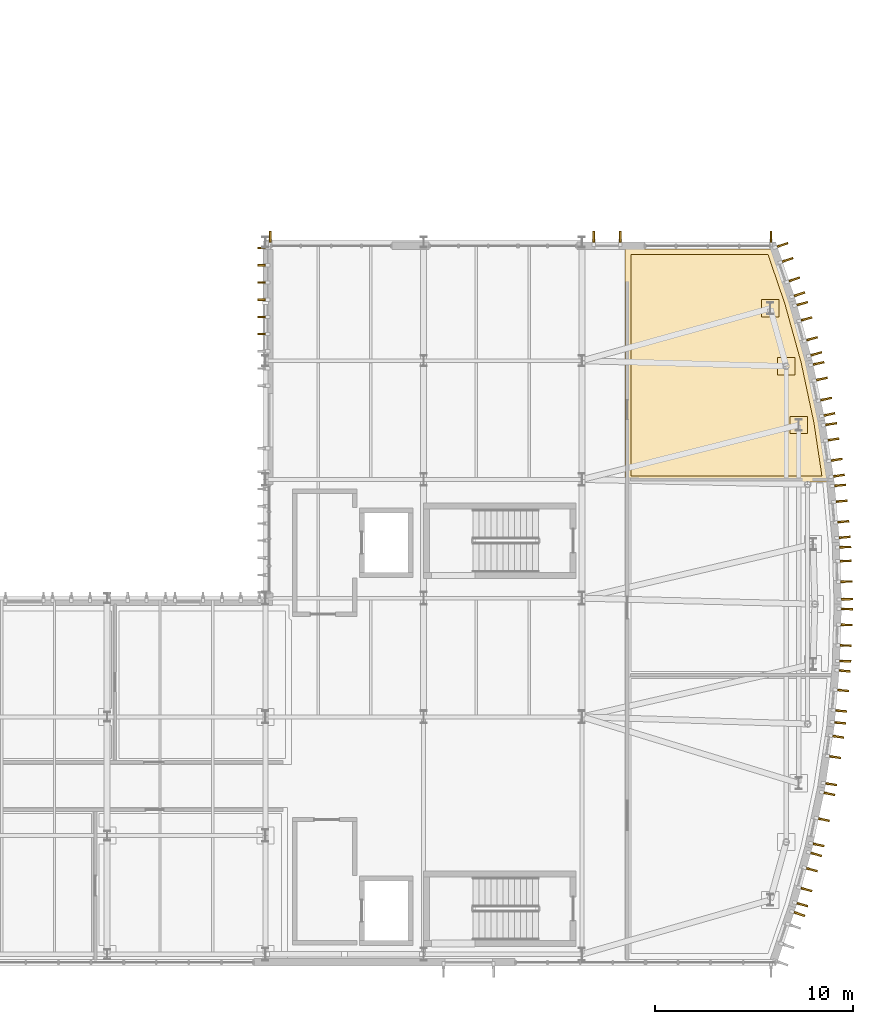
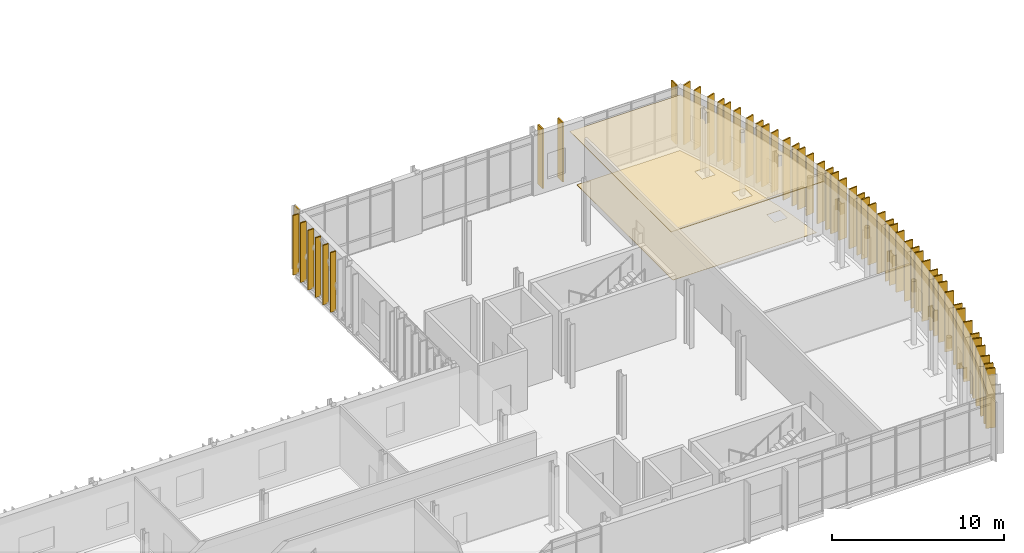
# One storey, part 100 of 100: 55 coverings.
"""IFC4 building model written with IfcOpenShell, lengths in metres."""

from ifc_helpers import new_model, si_unit, direction, frame, origin, origin_2d, place, context, subcontext, project, spatial, polyline, rectangle, outline, extrude, material, layer, layer_set, type_object, element, save


model = new_model("IFC4")

# Units and contexts
model_context = context("Model", 3, precision=1e-05, world=origin(), true_north=direction((0.0, 1.0)))
body_context = subcontext(model_context, "Body", "Model", "MODEL_VIEW")
ifc_project = project(units=[si_unit("LENGTHUNIT", "METRE"), si_unit("AREAUNIT", "SQUARE_METRE"), si_unit("VOLUMEUNIT", "CUBIC_METRE"), si_unit("PLANEANGLEUNIT", "RADIAN"), si_unit("MASSUNIT", "GRAM", prefix="KILO")], contexts=[model_context])

# Site, building, storey
site_placement = place(None, origin())
site = spatial("IfcSite", under=ifc_project, at=site_placement, CompositionType="ELEMENT")
building_placement = place(site_placement, origin())
building = spatial("IfcBuilding", under=site, at=building_placement, Name="Cymarion Research Institute", CompositionType="ELEMENT")
storey_placement = place(building_placement, frame((0.0, 0.0, 4.800048828125)))
storey = spatial("IfcBuildingStorey", under=building, at=storey_placement, Name="L01", CompositionType="ELEMENT", Elevation=4.800048828125)

# Coverings
ifc_material_1 = material(Name="Micro-perforated mineral acoustic ceiling tile", Category="gypsum")
ifc_layer_1 = layer(ifc_material_1, 0.030029296875)
ifc_layer_set_1 = layer_set([ifc_layer_1], Name="Micro-perforated mineral acoustic ceiling tile")
covering_type_1 = type_object("IfcCoveringType", Name="ACOUSTIC MICRO-PERFORATED SUSPENDED CEILING CLG-01", PredefinedType="CEILING", material=ifc_layer_set_1)
covering_1_placement = place(storey_placement, frame((0.0, 0.0, 3.699951171875)))
element("IfcCovering", 1, at=covering_1_placement, inside=storey, type_object=covering_type_1, Name="L01 L01 Prow Collaborative Reading Lounge acoustic ceiling", PredefinedType="CEILING", context=body_context, shape_type="SweptSolid", body=[
    extrude(outline(polyline([(164.22412109375, 41.1650390625), (165.14599609375, 38.47021484375), (165.971923828125, 35.482666015625), (166.617431640625, 32.45068359375), (167.080322265625, 29.385009765625), (156.784912109375, 29.385009765625), (156.784912109375, 41.1650390625), (164.22412109375, 41.1650390625)])), origin(), (0.0, 0.0, 1.0), 0.030029296875),
])
ifc_material_2 = material(Name="Precast concrete C45/55 architectural white", Category="concrete")
ifc_layer_2 = layer(ifc_material_2, 0.090087890625)
ifc_layer_set_2 = layer_set([ifc_layer_2], Name="Precast concrete C45/55 architectural white")
covering_type_2 = type_object("IfcCoveringType", Name="ARCHITECTURAL WHITE PRECAST CONCRETE VERTICAL FIN FIN1 560MM", PredefinedType="CLADDING", material=ifc_layer_set_2)
for number, where, z_axis, x_axis, name in (
    (2, (165.597900390625, 7.530029296875, 0.010009765625), (0.0, 0.0, 1.0), (0.946141878672, -0.32375229022, 0.0), "L01 V1 white precast vertical fin FIN1 #112"),
    (3, (165.74462890625, 8.004638671875, 0.010009765625), (0.0, 0.0, 1.0), (0.963863295733, -0.266397348219, 0.0), "L01 V1 white precast vertical fin FIN1 #113"),
    (4, (165.95556640625, 8.76806640625, 0.010009765625), (0.0, 0.0, 1.0), (0.963863295733, -0.266397348219, 0.0), "L01 V1 white precast vertical fin FIN1 #114"),
    (5, (166.232666015625, 9.7705078125, 0.010009765625), (0.0, 0.0, 1.0), (0.963863295733, -0.266397348219, 0.0), "L01 V1 white precast vertical fin FIN1 #115"),
    (6, (166.447021484375, 10.545654296875, 0.010009765625), (0.0, 0.0, 1.0), (0.963863295733, -0.266397348219, 0.0), "L01 V1 white precast vertical fin FIN1 #116"),
    (7, (166.56494140625, 11.028076171875, 0.010009765625), (0.0, 0.0, 1.0), (0.978074966272, -0.208253116068, 0.0), "L01 V1 white precast vertical fin FIN1 #117"),
    (8, (166.8359375, 12.300537109375, 0.010009765625), (0.0, 0.0, 1.0), (0.978074966272, -0.208253116068, 0.0), "L01 V1 white precast vertical fin FIN1 #118"),
    (9, (167.114013671875, 13.606689453125, 0.010009765625), (0.0, 0.0, 1.0), (0.978074966272, -0.208253116068, 0.0), "L01 V1 white precast vertical fin FIN1 #119"),
    (10, (167.202880859375, 14.09521484375, 0.010009765625), (0.0, 0.0, 1.0), (0.988782464828, -0.149362770624, 0.0), "L01 V1 white precast vertical fin FIN1 #120"),
    (11, (167.409423828125, 15.4638671875, 0.010009765625), (0.0, 0.0, 1.0), (0.988782464828, -0.149362770624, 0.0), "L01 V1 white precast vertical fin FIN1 #121"),
    (12, (167.564697265625, 16.4921875, 0.010009765625), (0.0, 0.0, 1.0), (0.988782464828, -0.149362770624, 0.0), "L01 V1 white precast vertical fin FIN1 #122"),
    (13, (167.65576171875, 17.195068359375, 0.010009765625), (0.0, 0.0, 1.0), (0.995963111248, -0.089763472712, 0.0), "L01 V1 white precast vertical fin FIN1 #123"),
    (14, (167.710205078125, 17.798583984375, 0.010009765625), (0.0, 0.0, 1.0), (0.995963111248, -0.089763472712, 0.0), "L01 V1 white precast vertical fin FIN1 #124"),
    (15, (167.803466796875, 18.83447265625, 0.010009765625), (0.0, 0.0, 1.0), (0.995963111248, -0.089763472712, 0.0), "L01 V1 white precast vertical fin FIN1 #125"),
    (16, (167.892333984375, 19.82080078125, 0.010009765625), (0.0, 0.0, 1.0), (0.995963111248, -0.089763472712, 0.0), "L01 V1 white precast vertical fin FIN1 #126"),
    (17, (167.922119140625, 20.31640625, 0.010009765625), (0.0, 0.0, 1.0), (0.99954944375, -0.030015154483, 0.0), "L01 V1 white precast vertical fin FIN1 #127"),
    (18, (167.94580078125, 21.108154296875, 0.010009765625), (0.0, 0.0, 1.0), (0.99954944375, -0.030015154483, 0.0), "L01 V1 white precast vertical fin FIN1 #128"),
    (19, (167.97705078125, 22.147705078125, 0.010009765625), (0.0, 0.0, 1.0), (0.99954944375, -0.030015154483, 0.0), "L01 V1 white precast vertical fin FIN1 #129"),
    (20, (168.001220703125, 22.95166015625, 0.010009765625), (0.0, 0.0, 1.0), (0.99954944375, -0.030015154483, 0.0), "L01 V1 white precast vertical fin FIN1 #130"),
    (21, (168.001220703125, 23.4482421875, 0.010009765625), (0.0, 0.0, 1.0), (0.99954944375, 0.030015154483, 0.0), "L01 V1 white precast vertical fin FIN1 #131"),
    (22, (167.974365234375, 24.33984375, 0.010009765625), (0.0, 0.0, 1.0), (0.99954944375, 0.030015154483, 0.0), "L01 V1 white precast vertical fin FIN1 #132"),
    (23, (167.943359375, 25.37939453125, 0.010009765625), (0.0, 0.0, 1.0), (0.99954944375, 0.030015154483, 0.0), "L01 V1 white precast vertical fin FIN1 #133"),
    (24, (167.922119140625, 26.08349609375, 0.010009765625), (0.0, 0.0, 1.0), (0.99954944375, 0.030015154483, 0.0), "L01 V1 white precast vertical fin FIN1 #134"),
    (25, (167.892333984375, 26.579345703125, 0.010009765625), (0.0, 0.0, 1.0), (0.995963111248, 0.089763472712, 0.0), "L01 V1 white precast vertical fin FIN1 #135"),
    (26, (167.8212890625, 27.3681640625, 0.010009765625), (0.0, 0.0, 1.0), (0.995963111248, 0.089763472712, 0.0), "L01 V1 white precast vertical fin FIN1 #136"),
    (27, (167.727783203125, 28.40380859375, 0.010009765625), (0.0, 0.0, 1.0), (0.995963111248, 0.089763472712, 0.0), "L01 V1 white precast vertical fin FIN1 #137"),
    (28, (167.65576171875, 29.204833984375, 0.010009765625), (0.0, 0.0, 1.0), (0.995963111248, 0.089763472712, 0.0), "L01 V1 white precast vertical fin FIN1 #138"),
    (29, (167.59619140625, 29.697998046875, 0.010009765625), (0.0, 0.0, 1.0), (0.988782464828, 0.149362770624, 0.0), "L01 V1 white precast vertical fin FIN1 #139"),
    (30, (167.475341796875, 30.498779296875, 0.010009765625), (0.0, 0.0, 1.0), (0.988782464828, 0.149362770624, 0.0), "L01 V1 white precast vertical fin FIN1 #140"),
    (31, (167.320068359375, 31.52734375, 0.010009765625), (0.0, 0.0, 1.0), (0.988782464828, 0.149362770624, 0.0), "L01 V1 white precast vertical fin FIN1 #141"),
    (32, (167.202880859375, 32.3046875, 0.010009765625), (0.0, 0.0, 1.0), (0.988782464828, 0.149362770624, 0.0), "L01 V1 white precast vertical fin FIN1 #142"),
    (33, (167.114013671875, 32.79345703125, 0.010009765625), (0.0, 0.0, 1.0), (0.978074966272, 0.208253116068, 0.0), "L01 V1 white precast vertical fin FIN1 #143"),
    (34, (166.948974609375, 33.568115234375, 0.010009765625), (0.0, 0.0, 1.0), (0.978074966272, 0.208253116068, 0.0), "L01 V1 white precast vertical fin FIN1 #144"),
    (35, (166.732421875, 34.585205078125, 0.010009765625), (0.0, 0.0, 1.0), (0.978074966272, 0.208253116068, 0.0), "L01 V1 white precast vertical fin FIN1 #145"),
    (36, (166.56494140625, 35.371826171875, 0.010009765625), (0.0, 0.0, 1.0), (0.978074966272, 0.208253116068, 0.0), "L01 V1 white precast vertical fin FIN1 #146"),
    (37, (166.447021484375, 35.8544921875, 0.010009765625), (0.0, 0.0, 1.0), (0.963863295733, 0.266397348219, 0.0), "L01 V1 white precast vertical fin FIN1 #147"),
    (38, (166.236083984375, 36.61767578125, 0.010009765625), (0.0, 0.0, 1.0), (0.963863295733, 0.266397348219, 0.0), "L01 V1 white precast vertical fin FIN1 #148"),
    (39, (165.958984375, 37.6201171875, 0.010009765625), (0.0, 0.0, 1.0), (0.963863295733, 0.266397348219, 0.0), "L01 V1 white precast vertical fin FIN1 #149"),
    (40, (165.74462890625, 38.395263671875, 0.010009765625), (0.0, 0.0, 1.0), (0.963863295733, 0.266397348219, 0.0), "L01 V1 white precast vertical fin FIN1 #150"),
    (41, (165.597900390625, 38.869873046875, 0.010009765625), (0.0, 0.0, 1.0), (0.946141878672, 0.32375229022, 0.0), "L01 V1 white precast vertical fin FIN1 #151"),
    (42, (165.341552734375, 39.619140625, 0.010009765625), (0.0, 0.0, 1.0), (0.946141878672, 0.32375229022, 0.0), "L01 V1 white precast vertical fin FIN1 #152"),
    (43, (165.0048828125, 40.603271484375, 0.010009765625), (0.0, 0.0, 1.0), (0.946141878672, 0.32375229022, 0.0), "L01 V1 white precast vertical fin FIN1 #153"),
    (44, (164.744384765625, 41.3642578125, 0.010009765625), (0.0, 0.0, 1.0), (0.946141878672, 0.32375229022, 0.0), "L01 V1 white precast vertical fin FIN1 #154"),
    (45, (164.159912109375, 41.781982421875, 0.010009765625), (0.0, 0.0, 1.0), (0.0, 1.0, 0.0), "L01 V1 white precast vertical fin FIN1 #155"),
    (46, (156.539794921875, 41.781982421875, 0.010009765625), (0.0, 0.0, 1.0), (0.0, 1.0, 0.0), "L01 V1 white precast vertical fin FIN1 #156"),
    (47, (155.19970703125, 41.781982421875, 0.010009765625), (0.0, 0.0, 1.0), (0.0, 1.0, 0.0), "L01 V1 white precast vertical fin FIN1 #157"),
    (48, (138.840087890625, 41.781982421875, 0.010009765625), (0.0, 0.0, 1.0), (0.0, 1.0, 0.0), "L01 V1 white precast vertical fin FIN1 #158"),
):
    element("IfcCovering", number, at=place(storey_placement, frame(where, z_axis=z_axis, x_axis=x_axis)), inside=storey, type_object=covering_type_2, Name=name, PredefinedType="CLADDING", context=body_context, shape_type="SweptSolid", body=[
        extrude(rectangle(XDim=0.56005859375, YDim=0.090087890625, at=origin_2d()), origin(), (0.0, 0.0, 1.0), 4.22998046875),
    ])
ifc_layer_3 = layer(ifc_material_2, 0.0849609375)
ifc_layer_set_3 = layer_set([ifc_layer_3], Name="Precast concrete C45/55 architectural white")
covering_type_3 = type_object("IfcCoveringType", Name="ARCHITECTURAL WHITE PRECAST CONCRETE VERTICAL FIN FIN3 380MM", PredefinedType="CLADDING", material=ifc_layer_set_3)
for number, where, z_axis, x_axis, name in (
    (49, (138.407958984375, 41.199951171875, 0.010009765625), (0.0, 0.0, 1.0), (-1.0, 0.0, 0.0), "L01 V1 white precast vertical fin FIN3 #159"),
    (50, (138.407958984375, 40.330078125, 0.010009765625), (0.0, 0.0, 1.0), (-1.0, 0.0, 0.0), "L01 V1 white precast vertical fin FIN3 #160"),
    (51, (138.407958984375, 39.4599609375, 0.010009765625), (0.0, 0.0, 1.0), (-1.0, 0.0, 0.0), "L01 V1 white precast vertical fin FIN3 #161"),
    (52, (138.407958984375, 38.590087890625, 0.010009765625), (0.0, 0.0, 1.0), (-1.0, 0.0, 0.0), "L01 V1 white precast vertical fin FIN3 #162"),
    (53, (138.407958984375, 37.719970703125, 0.010009765625), (0.0, 0.0, 1.0), (-1.0, 0.0, 0.0), "L01 V1 white precast vertical fin FIN3 #163"),
    (54, (138.407958984375, 36.85009765625, 0.010009765625), (0.0, 0.0, 1.0), (-1.0, 0.0, 0.0), "L01 V1 white precast vertical fin FIN3 #164"),
):
    element("IfcCovering", number, at=place(storey_placement, frame(where, z_axis=z_axis, x_axis=x_axis)), inside=storey, type_object=covering_type_3, Name=name, PredefinedType="CLADDING", context=body_context, shape_type="SweptSolid", body=[
        extrude(rectangle(XDim=0.3798828125, YDim=0.0849609375, at=origin_2d()), origin(), (0.0, 0.0, 1.0), 4.22998046875),
    ])
ifc_material_3 = material(Name="Seamless dissipative epoxy resin flooring", Category="resin")
ifc_layer_4 = layer(ifc_material_3, 0.02001953125)
ifc_layer_set_4 = layer_set([ifc_layer_4], Name="Seamless dissipative epoxy resin flooring")
covering_type_4 = type_object("IfcCoveringType", Name="SEAMLESS ESD EPOXY LABORATORY FLOORING FLR-01", PredefinedType="FLOORING", material=ifc_layer_set_4)
covering_2_placement = place(storey_placement, origin())
element("IfcCovering", 55, at=covering_2_placement, inside=storey, type_object=covering_type_4, Name="L01 L01 Prow Collaborative Reading Lounge ESD epoxy flooring", PredefinedType="FLOORING", context=body_context, shape_type="SweptSolid", body=[
    extrude(outline(polyline([(157.0849609375, 40.864990234375), (164.009521484375, 40.864990234375), (164.859130859375, 38.381591796875), (165.680419921875, 35.411376953125), (166.322021484375, 32.39697265625), (166.731689453125, 29.68505859375), (157.0849609375, 29.68505859375), (157.0849609375, 40.864990234375)]), holes=[polyline([(165.994873046875, 32.693603515625), (165.125, 32.693603515625), (165.125, 31.823486328125), (165.994873046875, 31.823486328125), (165.994873046875, 32.693603515625)]), polyline([(165.36279296875, 35.662353515625), (164.492919921875, 35.662353515625), (164.492919921875, 34.792236328125), (165.36279296875, 34.792236328125), (165.36279296875, 35.662353515625)]), polyline([(164.553955078125, 38.587890625), (163.68408203125, 38.587890625), (163.68408203125, 37.718017578125), (164.553955078125, 37.718017578125), (164.553955078125, 38.587890625)])]), origin(), (0.0, 0.0, 1.0), 0.02001953125),
])

save(model, "model.ifc")
